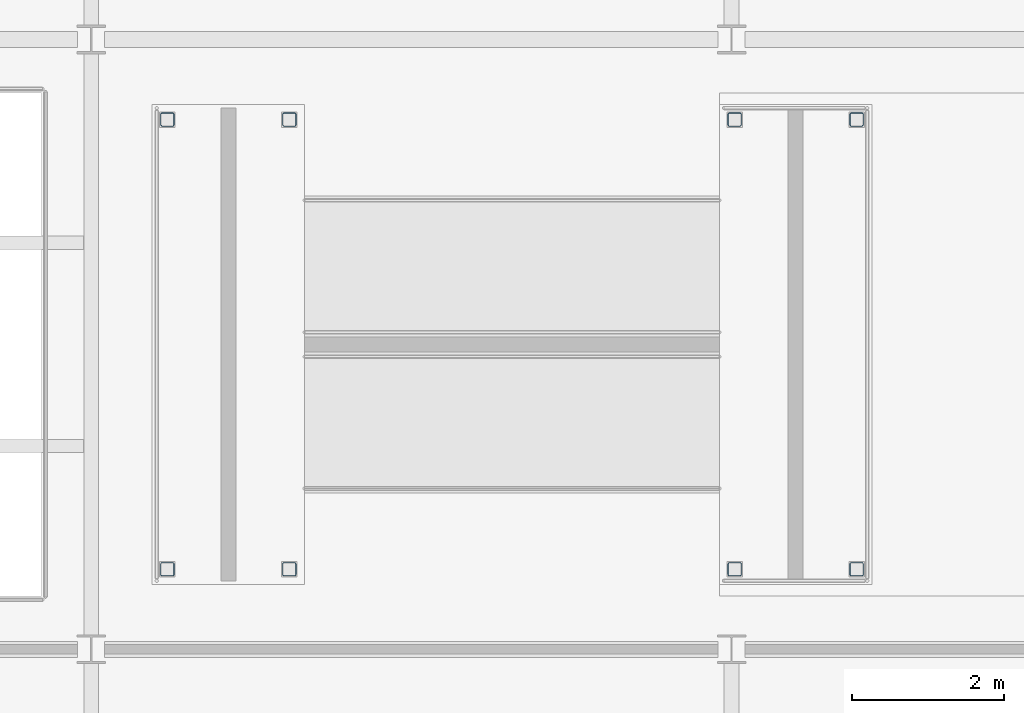
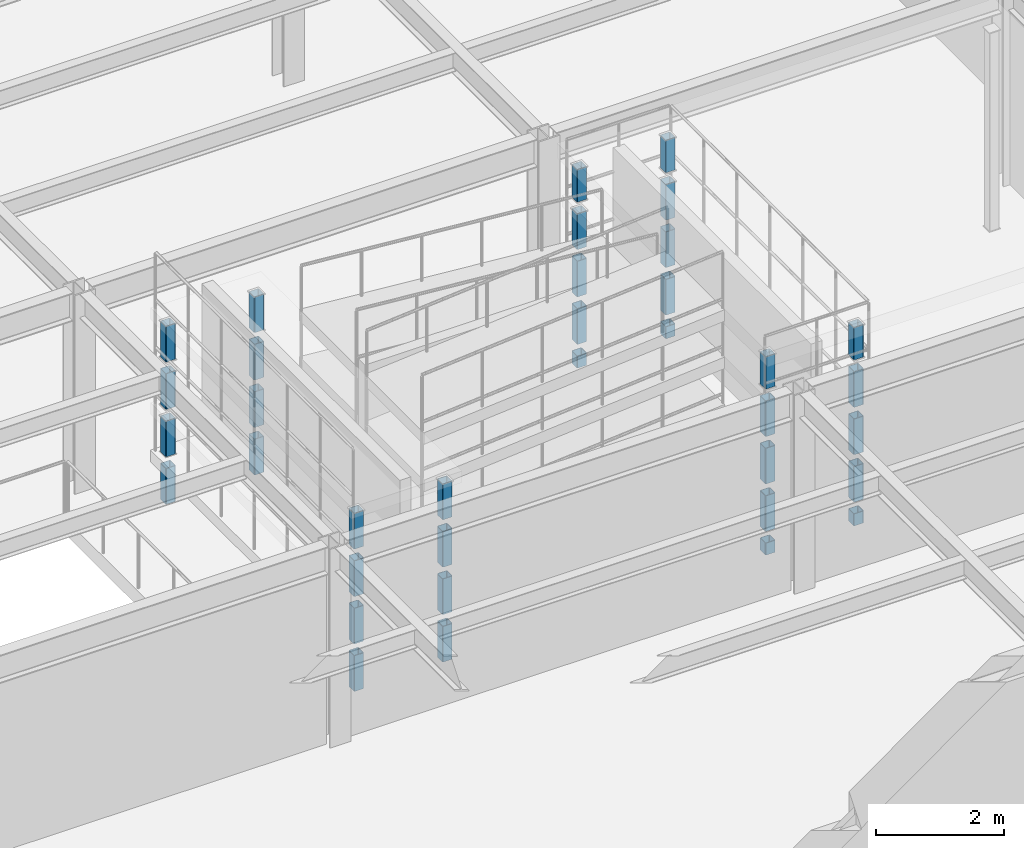
# One storey, part 18 of 138: 36 columns.
"""IFC4 building model written with IfcOpenShell, lengths in metres."""

import ifcopenshell
import ifcopenshell.guid

model = None  # the IFC model being written
_history = None  # IfcOwnerHistory: only IFC2X3 demands one
_inside = {}  # id of a spatial element -> (the spatial element, [elements in it])
_under = {}  # id of a project, library or spatial element -> (it, [spatial elements below it])
_declared = {}  # id of a project -> (the project, [libraries it declares])
_typed = {}  # id of a type object -> (the type object, [elements of that type])
_made_of = {}  # id of a material, layer set ... -> (it, [elements and type objects made of it])


def new_model(schema):
    """Start an empty IFC model of exactly this schema.

    Asked for "IFC4X3", IfcOpenShell would pick the latest addendum, in which some entities
    have other attributes; the version numbers below select the first issue.
    IFC2X3 requires an IfcOwnerHistory on every rooted entity: one is made here for all.
    """
    global model, _history
    if schema == "IFC4X3":
        model = ifcopenshell.file(schema_version=(4, 3, 0, 0))
    else:
        model = ifcopenshell.file(schema=schema)
    _inside.clear()
    _under.clear()
    _declared.clear()
    _typed.clear()
    _made_of.clear()
    _history = None
    if model.schema == "IFC2X3":
        org = make("IfcOrganization", Name="unknown")
        user = make(
            "IfcPersonAndOrganization",
            ThePerson=make("IfcPerson", FamilyName="unknown"),
            TheOrganization=org,
        )
        app = make(
            "IfcApplication",
            ApplicationDeveloper=org,
            Version="unknown",
            ApplicationFullName="unknown",
            ApplicationIdentifier="unknown",
        )
        _history = make(
            "IfcOwnerHistory",
            OwningUser=user,
            OwningApplication=app,
            ChangeAction="ADDED",
            CreationDate=0,
        )
    return model


def make(cls, **values):
    """One entity of the class cls with the attributes given. An attribute that is None is left unset."""
    return model.create_entity(
        cls, **{name: value for name, value in values.items() if value is not None}
    )


def rooted(cls, **values):
    """An entity with a GlobalId (a new one), such as an element, a storey or a relation."""
    return make(cls, GlobalId=ifcopenshell.guid.new(), OwnerHistory=_history, **values)


def si_unit(unit_type, name, prefix=None):
    """IfcSIUnit, for example si_unit("LENGTHUNIT", "METRE", prefix="MILLI")."""
    return make("IfcSIUnit", UnitType=unit_type, Prefix=prefix, Name=name)


def assignment(units):
    """IfcUnitAssignment: the units of a project."""
    return None if units is None else make("IfcUnitAssignment", Units=units)


def point(xyz):
    """IfcCartesianPoint."""
    return None if xyz is None else make("IfcCartesianPoint", Coordinates=xyz)


def direction(xyz):
    """IfcDirection."""
    return None if xyz is None else make("IfcDirection", DirectionRatios=xyz)


def frame(location, z_axis=None, x_axis=None):
    """IfcAxis2Placement3D, a coordinate frame: its origin and axes. An axis left out is left unset."""
    return make(
        "IfcAxis2Placement3D",
        Location=point(location),
        Axis=direction(z_axis),
        RefDirection=direction(x_axis),
    )


def frame_2d(location, x_axis=None):
    """IfcAxis2Placement2D, a coordinate frame in the plane: its origin and x axis."""
    return make(
        "IfcAxis2Placement2D", Location=point(location), RefDirection=direction(x_axis)
    )


def origin():
    """The frame at (0, 0, 0) with its axes left unset."""
    return frame((0.0, 0.0, 0.0))


def origin_2d():
    """The frame at (0, 0) in the plane with its x axis left unset."""
    return frame_2d((0.0, 0.0))


def place(relative_to, where):
    """IfcLocalPlacement: puts the frame where relative to a parent placement (None: the world)."""
    return make(
        "IfcLocalPlacement", PlacementRelTo=relative_to, RelativePlacement=where
    )


def context(
    kind, dimensions, precision=None, world=None, true_north=None, identifier=None
):
    """IfcGeometricRepresentationContext, for example the 3D "Model" context."""
    return make(
        "IfcGeometricRepresentationContext",
        ContextIdentifier=identifier,
        ContextType=kind,
        CoordinateSpaceDimension=dimensions,
        Precision=precision,
        WorldCoordinateSystem=world,
        TrueNorth=true_north,
    )


def subcontext(parent, identifier, kind, view, scale=None):
    """IfcGeometricRepresentationSubContext, for example "Body" below "Model"."""
    return make(
        "IfcGeometricRepresentationSubContext",
        ContextIdentifier=identifier,
        ContextType=kind,
        ParentContext=parent,
        TargetScale=scale,
        TargetView=view,
    )


def project(units=None, contexts=None):
    """IfcProject with its units and contexts."""
    return rooted(
        "IfcProject",
        Name="project",
        RepresentationContexts=contexts,
        UnitsInContext=assignment(units),
    )


def spatial(cls, under=None, at=None, **own):
    """A site, building, storey or space (cls), placed at a placement, below another one or the project."""
    s = rooted(cls, ObjectPlacement=at, **own)
    if under is not None:
        _under.setdefault(under.id(), (under, []))[1].append(s)
    return s


def profile(cls, at=None, kind="AREA", **sizes):
    """A parametric profile (cls). Its sizes go by their IFC names, for example OverallWidth=200.0."""
    return make(cls, ProfileType=kind, Position=at, **sizes)


def hollow_rectangle(**sizes):
    """IfcRectangleHollowProfileDef."""
    return profile("IfcRectangleHollowProfileDef", **sizes)


def extrude(swept, where, along, depth):
    """IfcExtrudedAreaSolid: the profile swept, set in the frame where, extruded along a direction by depth."""
    return make(
        "IfcExtrudedAreaSolid",
        SweptArea=swept,
        Position=where,
        ExtrudedDirection=direction(along),
        Depth=depth,
    )


def shape(context_of_items, identifier, shape_type, items):
    """IfcShapeRepresentation: the items that make up one representation, for example the "Body"."""
    return make(
        "IfcShapeRepresentation",
        ContextOfItems=context_of_items,
        RepresentationIdentifier=identifier,
        RepresentationType=shape_type,
        Items=items,
    )


def material(Name=None, Category=None):
    """IfcMaterial."""
    return make("IfcMaterial", Name=Name, Category=Category)


def material_profile(
    of_material, cross_section, Name=None, Category=None, Priority=None
):
    """IfcMaterialProfile: a cross section and its material."""
    return make(
        "IfcMaterialProfile",
        Name=Name,
        Material=of_material,
        Profile=cross_section,
        Priority=Priority,
        Category=Category,
    )


def profile_set(profiles, Name=None, composite=None):
    """IfcMaterialProfileSet."""
    return make(
        "IfcMaterialProfileSet",
        Name=Name,
        MaterialProfiles=profiles,
        CompositeProfile=composite,
    )


def made_of(thing, what):
    """Note that an element or type object is made of a material, layer set ...; save() writes the relation."""
    if what is not None:
        _made_of.setdefault(what.id(), (what, []))[1].append(thing)
    return thing


def type_object(cls, material=None, **own):
    """A type object (cls), such as IfcWallType, which elements share."""
    return made_of(rooted(cls, **own), material)


def element(
    cls,
    number,
    at=None,
    inside=None,
    cuts=None,
    type_object=None,
    material=None,
    context=None,
    identifier="Body",
    shape_type=None,
    held_by="IfcProductDefinitionShape",
    body=None,
    shapes=None,
    **own,
):
    """One element of the class cls, such as IfcWall. Its Tag is "e" and its number.

    at: its placement. inside: the storey or other place that contains it. cuts: it is an
    opening in that element (IfcRelVoidsElement). A single representation is given by context,
    identifier, shape_type and body (its items); several are given by shapes. held_by: the class
    of the entity that holds the representations. save() writes the other relations.
    """
    e = rooted(cls, Tag="e%d" % number, ObjectPlacement=at, **own)
    if body is not None:
        shapes = [shape(context, identifier, shape_type, body)]
    if shapes is not None:
        e.Representation = make(held_by, Representations=shapes)
    if inside is not None:
        _inside.setdefault(inside.id(), (inside, []))[1].append(e)
    if cuts is not None:
        rooted(
            "IfcRelVoidsElement", RelatingBuildingElement=cuts, RelatedOpeningElement=e
        )
    if type_object is not None:
        _typed.setdefault(type_object.id(), (type_object, []))[1].append(e)
    return made_of(e, material)


def aggregate(whole, parts):
    """IfcRelAggregates: a whole, such as a stair, and the parts it consists of."""
    return rooted("IfcRelAggregates", RelatingObject=whole, RelatedObjects=parts)


def save(model, path):
    """Write the relations noted so far, then the file.

    IfcRelAggregates (storeys below a building ...), IfcRelContainedInSpatialStructure (elements
    in a storey), IfcRelDefinesByType, IfcRelAssociatesMaterial and IfcRelDeclares: one each for
    every whole, place, type object, material and project.
    """
    for whole, parts in _under.values():
        aggregate(whole, parts)
    for where, things in _inside.values():
        rooted(
            "IfcRelContainedInSpatialStructure",
            RelatedElements=things,
            RelatingStructure=where,
        )
    for kind, things in _typed.values():
        rooted("IfcRelDefinesByType", RelatedObjects=things, RelatingType=kind)
    for what, things in _made_of.values():
        rooted("IfcRelAssociatesMaterial", RelatedObjects=things, RelatingMaterial=what)
    for by, libraries in _declared.values():
        rooted("IfcRelDeclares", RelatingContext=by, RelatedDefinitions=libraries)
    model.write(path)


model = new_model("IFC4")

# Units and contexts
model_context = context("Model", 3, precision=1e-05, world=origin(), true_north=direction((0.0, 1.0)))
body_context = subcontext(model_context, "Body", "Model", "MODEL_VIEW")
ifc_project = project(units=[si_unit("LENGTHUNIT", "METRE"), si_unit("AREAUNIT", "SQUARE_METRE"), si_unit("VOLUMEUNIT", "CUBIC_METRE"), si_unit("PLANEANGLEUNIT", "RADIAN"), si_unit("MASSUNIT", "GRAM", prefix="KILO")], contexts=[model_context])

# Site, building, storey
site_placement = place(None, origin())
site = spatial("IfcSite", under=ifc_project, at=site_placement, CompositionType="ELEMENT")
building_placement = place(site_placement, origin())
building = spatial("IfcBuilding", under=site, at=building_placement, Name="Kranzveld Transit Interchange", CompositionType="ELEMENT")
storey_placement = place(building_placement, frame((0.0, 0.0, 5.43994140625)))
storey = spatial("IfcBuildingStorey", under=building, at=storey_placement, Name="L01", CompositionType="ELEMENT", Elevation=5.43994140625)

# Columns
ifc_material = material(Name="Steel S355JR", Category="steel")
ifc_material_profile = material_profile(ifc_material, hollow_rectangle(XDim=0.179931640625, YDim=0.179931640625, WallThickness=0.008056640625, InnerFilletRadius=0.011962890625, OuterFilletRadius=0.02001953125, at=origin_2d()), Name="SHS 180x180x8")
ifc_profile_set = profile_set([ifc_material_profile], Name="Steel S355JR")
column_type = type_object("IfcColumnType", Name="Landing Post SHS 180x180x8 S355JR", PredefinedType="COLUMN", material=ifc_profile_set)
for number, where, z_axis, x_axis, name in (
    (1, (42.0400390625, 25.050048828125, 0.001953125), (0.0, 0.0, 1.0), (1.0, 0.0, 0.0), "L01 RMP-2 Landing 1 Support Post 1"),
    (2, (42.0400390625, 30.949951171875, 0.001953125), (0.0, 0.0, 1.0), (1.0, 0.0, 0.0), "L01 RMP-2 Landing 1 Support Post 2"),
    (3, (43.639892578125, 25.050048828125, 0.001953125), (0.0, 0.0, 1.0), (1.0, 0.0, 0.0), "L01 RMP-2 Landing 1 Support Post 3"),
    (4, (43.639892578125, 30.949951171875, 0.001953125), (0.0, 0.0, 1.0), (1.0, 0.0, 0.0), "L01 RMP-2 Landing 1 Support Post 4"),
):
    element("IfcColumn", number, at=place(storey_placement, frame(where, z_axis=z_axis, x_axis=x_axis)), inside=storey, type_object=column_type, Name=name, PredefinedType="COLUMN", context=body_context, shape_type="SweptSolid", body=[
        extrude(hollow_rectangle(XDim=0.179931640625, YDim=0.179931640625, WallThickness=0.008056640625, InnerFilletRadius=0.011962890625, OuterFilletRadius=0.02001953125, at=origin_2d()), origin(), (0.0, 0.0, 1.0), 0.2294921875),
    ])
for number, where, z_axis, x_axis, name in (
    (5, (34.60009765625, 25.050048828125, 0.001953125), (0.0, 0.0, 1.0), (1.0, 0.0, 0.0), "L01 RMP-2 Landing 2 Support Post 1"),
    (6, (34.60009765625, 30.949951171875, 0.001953125), (0.0, 0.0, 1.0), (1.0, 0.0, 0.0), "L01 RMP-2 Landing 2 Support Post 2"),
    (7, (36.199951171875, 25.050048828125, 0.001953125), (0.0, 0.0, 1.0), (1.0, 0.0, 0.0), "L01 RMP-2 Landing 2 Support Post 3"),
    (8, (36.199951171875, 30.949951171875, 0.001953125), (0.0, 0.0, 1.0), (1.0, 0.0, 0.0), "L01 RMP-2 Landing 2 Support Post 4"),
):
    element("IfcColumn", number, at=place(storey_placement, frame(where, z_axis=z_axis, x_axis=x_axis)), inside=storey, type_object=column_type, Name=name, PredefinedType="COLUMN", context=body_context, shape_type="SweptSolid", body=[
        extrude(hollow_rectangle(XDim=0.179931640625, YDim=0.179931640625, WallThickness=0.008056640625, InnerFilletRadius=0.011962890625, OuterFilletRadius=0.02001953125, at=origin_2d()), origin(), (0.0, 0.0, 1.0), 0.682861328125),
    ])
for number, where, z_axis, x_axis, name in (
    (9, (42.0400390625, 25.050048828125, 0.455322265625), (0.0, 0.0, 1.0), (1.0, 0.0, 0.0), "L01 RMP-2 Landing 3 Support Post 1"),
    (10, (42.0400390625, 30.949951171875, 0.455322265625), (0.0, 0.0, 1.0), (1.0, 0.0, 0.0), "L01 RMP-2 Landing 3 Support Post 2"),
    (11, (43.639892578125, 25.050048828125, 0.455322265625), (0.0, 0.0, 1.0), (1.0, 0.0, 0.0), "L01 RMP-2 Landing 3 Support Post 3"),
    (12, (43.639892578125, 30.949951171875, 0.455322265625), (0.0, 0.0, 1.0), (1.0, 0.0, 0.0), "L01 RMP-2 Landing 3 Support Post 4"),
    (13, (34.60009765625, 25.050048828125, 0.90869140625), (0.0, 0.0, 1.0), (1.0, 0.0, 0.0), "L01 RMP-2 Landing 4 Support Post 1"),
    (14, (34.60009765625, 30.949951171875, 0.90869140625), (0.0, 0.0, 1.0), (1.0, 0.0, 0.0), "L01 RMP-2 Landing 4 Support Post 2"),
    (15, (36.199951171875, 25.050048828125, 0.90869140625), (0.0, 0.0, 1.0), (1.0, 0.0, 0.0), "L01 RMP-2 Landing 4 Support Post 3"),
    (16, (36.199951171875, 30.949951171875, 0.90869140625), (0.0, 0.0, 1.0), (1.0, 0.0, 0.0), "L01 RMP-2 Landing 4 Support Post 4"),
    (17, (42.0400390625, 25.050048828125, 1.362060546875), (0.0, 0.0, 1.0), (1.0, 0.0, 0.0), "L01 RMP-2 Landing 5 Support Post 1"),
    (18, (42.0400390625, 30.949951171875, 1.362060546875), (0.0, 0.0, 1.0), (1.0, 0.0, 0.0), "L01 RMP-2 Landing 5 Support Post 2"),
    (19, (43.639892578125, 25.050048828125, 1.362060546875), (0.0, 0.0, 1.0), (1.0, 0.0, 0.0), "L01 RMP-2 Landing 5 Support Post 3"),
    (20, (43.639892578125, 30.949951171875, 1.362060546875), (0.0, 0.0, 1.0), (1.0, 0.0, 0.0), "L01 RMP-2 Landing 5 Support Post 4"),
    (21, (34.60009765625, 25.050048828125, 1.8154296875), (0.0, 0.0, 1.0), (1.0, 0.0, 0.0), "L01 RMP-2 Landing 6 Support Post 1"),
    (22, (34.60009765625, 30.949951171875, 1.8154296875), (0.0, 0.0, 1.0), (1.0, 0.0, 0.0), "L01 RMP-2 Landing 6 Support Post 2"),
    (23, (36.199951171875, 25.050048828125, 1.8154296875), (0.0, 0.0, 1.0), (1.0, 0.0, 0.0), "L01 RMP-2 Landing 6 Support Post 3"),
    (24, (36.199951171875, 30.949951171875, 1.8154296875), (0.0, 0.0, 1.0), (1.0, 0.0, 0.0), "L01 RMP-2 Landing 6 Support Post 4"),
    (25, (42.0400390625, 25.050048828125, 2.268798828125), (0.0, 0.0, 1.0), (1.0, 0.0, 0.0), "L01 RMP-2 Landing 7 Support Post 1"),
    (26, (42.0400390625, 30.949951171875, 2.268798828125), (0.0, 0.0, 1.0), (1.0, 0.0, 0.0), "L01 RMP-2 Landing 7 Support Post 2"),
    (27, (43.639892578125, 25.050048828125, 2.268798828125), (0.0, 0.0, 1.0), (1.0, 0.0, 0.0), "L01 RMP-2 Landing 7 Support Post 3"),
    (28, (43.639892578125, 30.949951171875, 2.268798828125), (0.0, 0.0, 1.0), (1.0, 0.0, 0.0), "L01 RMP-2 Landing 7 Support Post 4"),
    (29, (34.60009765625, 25.050048828125, 2.72216796875), (0.0, 0.0, 1.0), (1.0, 0.0, 0.0), "L01 RMP-2 Landing 8 Support Post 1"),
    (30, (34.60009765625, 30.949951171875, 2.72216796875), (0.0, 0.0, 1.0), (1.0, 0.0, 0.0), "L01 RMP-2 Landing 8 Support Post 2"),
    (31, (36.199951171875, 25.050048828125, 2.72216796875), (0.0, 0.0, 1.0), (1.0, 0.0, 0.0), "L01 RMP-2 Landing 8 Support Post 3"),
    (32, (36.199951171875, 30.949951171875, 2.72216796875), (0.0, 0.0, 1.0), (1.0, 0.0, 0.0), "L01 RMP-2 Landing 8 Support Post 4"),
):
    element("IfcColumn", number, at=place(storey_placement, frame(where, z_axis=z_axis, x_axis=x_axis)), inside=storey, type_object=column_type, Name=name, PredefinedType="COLUMN", context=body_context, shape_type="SweptSolid", body=[
        extrude(hollow_rectangle(XDim=0.179931640625, YDim=0.179931640625, WallThickness=0.008056640625, InnerFilletRadius=0.011962890625, OuterFilletRadius=0.02001953125, at=origin_2d()), origin(), (0.0, 0.0, 1.0), 0.6826171875),
    ])
for number, where, z_axis, x_axis, name in (
    (33, (42.0400390625, 25.050048828125, 3.17529296875), (0.0, 0.0, 1.0), (1.0, 0.0, 0.0), "L01 RMP-2 Arrival Bridge Post 1"),
    (34, (42.0400390625, 30.949951171875, 3.17529296875), (0.0, 0.0, 1.0), (1.0, 0.0, 0.0), "L01 RMP-2 Arrival Bridge Post 2"),
    (35, (43.639892578125, 25.050048828125, 3.17529296875), (0.0, 0.0, 1.0), (1.0, 0.0, 0.0), "L01 RMP-2 Arrival Bridge Post 3"),
    (36, (43.639892578125, 30.949951171875, 3.17529296875), (0.0, 0.0, 1.0), (1.0, 0.0, 0.0), "L01 RMP-2 Arrival Bridge Post 4"),
):
    element("IfcColumn", number, at=place(storey_placement, frame(where, z_axis=z_axis, x_axis=x_axis)), inside=storey, type_object=column_type, Name=name, PredefinedType="COLUMN", context=body_context, shape_type="SweptSolid", body=[
        extrude(hollow_rectangle(XDim=0.179931640625, YDim=0.179931640625, WallThickness=0.008056640625, InnerFilletRadius=0.011962890625, OuterFilletRadius=0.02001953125, at=origin_2d()), origin(), (0.0, 0.0, 1.0), 0.620849609375),
    ])

save(model, "model.ifc")
